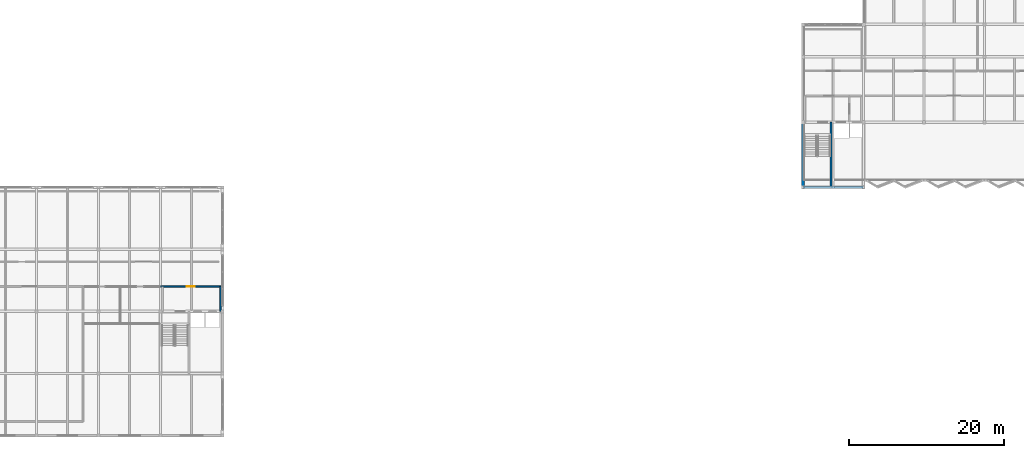
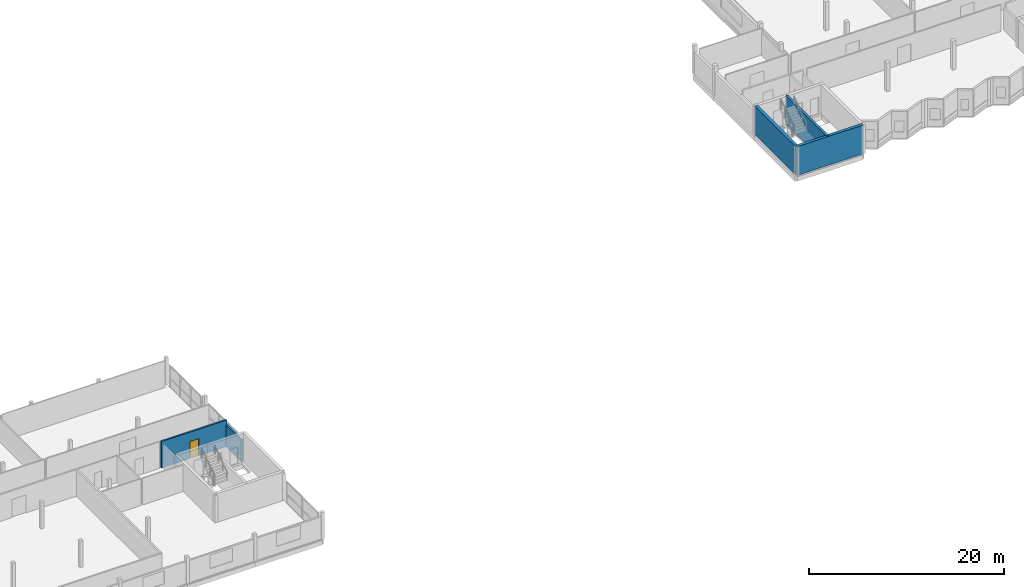
# One storey, part 13 of 22: 5 walls, 1 door, 1 opening.
"""IFC4 building model written with IfcOpenShell, lengths in metres."""

from ifc_helpers import new_model, si_unit, direction, frame, frame_2d, origin, place, context, subcontext, project, spatial, rectangle, extrude, material, layer, layer_set, type_object, element, fill, save


model = new_model("IFC4")

# Units and contexts
model_context = context("Model", 3, precision=1e-05, world=origin(), true_north=direction((0.0, 1.0)))
body_context = subcontext(model_context, "Body", "Model", "MODEL_VIEW")
ifc_project = project(units=[si_unit("LENGTHUNIT", "METRE"), si_unit("AREAUNIT", "SQUARE_METRE"), si_unit("VOLUMEUNIT", "CUBIC_METRE"), si_unit("PLANEANGLEUNIT", "RADIAN"), si_unit("MASSUNIT", "GRAM", prefix="KILO")], contexts=[model_context])

# Site, building, storey
site_placement = place(None, origin())
site = spatial("IfcSite", under=ifc_project, at=site_placement, CompositionType="ELEMENT")
building_placement = place(site_placement, origin())
building = spatial("IfcBuilding", under=site, at=building_placement, Name="Vharandega Faculty of Natural Sciences", CompositionType="ELEMENT")
storey_placement = place(building_placement, frame((0.0, 0.0, 28.800048828125)))
storey = spatial("IfcBuildingStorey", under=building, at=storey_placement, Name="L07", CompositionType="ELEMENT", Elevation=28.800048828125)

# Walls
ifc_material_1 = material(Name="Concrete C40/50", Category="concrete")
ifc_layer_1 = layer(ifc_material_1, 0.35009765625, Name="Concrete C40/50")
ifc_layer_set_1 = layer_set([ifc_layer_1], Name="Concrete C40/50")
wall_type_1 = type_object("IfcWallType", Name="Core Shear Wall 350", PredefinedType="SHEAR", material=ifc_layer_set_1)
wall_1_placement = place(storey_placement, frame((114.800048828125, 64.0, 0.0), z_axis=(0.0, 0.0, 1.0), x_axis=(1.0, 0.0, 0.0)))
element("IfcWall", 1, at=wall_1_placement, inside=storey, type_object=wall_type_1, Name="Interior Wall CW-C1-L07-S", PredefinedType="SHEAR", context=body_context, shape_type="SweptSolid", body=[
    extrude(rectangle(XDim=7.800048828125, YDim=0.35009765625, at=frame_2d((3.89990234375, 0.0))), origin(), (0.0, 0.0, 1.0), 3.599853515625),
])
wall_2_placement = place(storey_placement, frame((114.800048828125, 64.0, 0.0), z_axis=(0.0, 0.0, 1.0), x_axis=(0.0, 1.0, 0.0)))
element("IfcWall", 2, at=wall_2_placement, inside=storey, type_object=wall_type_1, Name="Interior Wall CW-C1-L07-W", PredefinedType="SHEAR", context=body_context, shape_type="SweptSolid", body=[
    extrude(rectangle(XDim=8.39990234375, YDim=0.35009765625, at=frame_2d((4.199951171875, 0.0))), origin(), (0.0, 0.0, 1.0), 3.599853515625),
])

# Wall, opening, door
ifc_material_2 = material(Name="Concrete C40/50", Category="concrete")
ifc_layer_2 = layer(ifc_material_2, 0.199951171875, Name="Concrete C40/50")
ifc_layer_set_2 = layer_set([ifc_layer_2], Name="Concrete C40/50")
wall_type_2 = type_object("IfcWallType", Name="Firefighting Lobby Wall 200", PredefinedType="PARTITIONING", material=ifc_layer_set_2)
wall_3_placement = place(storey_placement, frame((32.0, 51.199951171875, 0.0), z_axis=(0.0, 0.0, 1.0), x_axis=(1.0, 0.0, 0.0)))
wall_3 = element("IfcWall", 3, at=wall_3_placement, inside=storey, type_object=wall_type_2, Name="Interior Wall PW-LL-C3-L07-N", PredefinedType="PARTITIONING", context=body_context, shape_type="SweptSolid", body=[
    extrude(rectangle(XDim=7.75, YDim=0.199951171875, at=frame_2d((3.875, 0.0))), origin(), (0.0, 0.0, 1.0), 3.320068359375),
])
opening_placement = place(wall_3_placement, frame((3.375, 0.0, 0.0)))
opening = element("IfcOpeningElement", 4, at=opening_placement, cuts=wall_3, Name="Opening FD4", PredefinedType="OPENING", context=body_context, shape_type="SweptSolid", body=[
    extrude(rectangle(XDim=1.050048828125, YDim=2.14990234375, at=frame_2d((0.52490234375, 1.074951171875))), frame((0.0, 0.10986328125, 0.0), z_axis=(0.0, -1.0, 0.0), x_axis=(1.0, 0.0, 0.0)), (0.0, 0.0, 1.0), 0.219970703125),
])
ifc_material_3 = material(Name="Solid-core hardwood timber fire door", Category="wood")
door_type = type_object("IfcDoorType", Name="FD4-LAB-SGL-1050x2150", OperationType="NOTDEFINED", PredefinedType="DOOR", material=ifc_material_3)
door_placement = place(opening_placement, origin())
door = element("IfcDoor", 5, at=door_placement, inside=storey, type_object=door_type, Name="Lift Lobby C3 Door FD4", OperationType="SINGLE_SWING_RIGHT", OverallHeight=2.14990234375, OverallWidth=1.050048828125, PredefinedType="DOOR", context=body_context, shape_type="SweptSolid", body=[
    extrude(rectangle(XDim=1.050048828125, YDim=2.14990234375, at=frame_2d((0.52490234375, 1.074951171875))), frame((0.0, 0.02490234375, 0.0), z_axis=(0.0, -1.0, 0.0), x_axis=(1.0, 0.0, 0.0)), (0.0, 0.0, 1.0), 0.050048828125),
])
fill(opening, door)

# Walls
wall_4_placement = place(storey_placement, frame((39.75, 48.0, 0.0), z_axis=(0.0, 0.0, 1.0), x_axis=(0.0, 1.0, 0.0)))
element("IfcWall", 6, at=wall_4_placement, inside=storey, type_object=wall_type_2, Name="Interior Wall PW-LL-C3-L07-E", PredefinedType="PARTITIONING", context=body_context, shape_type="SweptSolid", body=[
    extrude(rectangle(XDim=3.199951171875, YDim=0.199951171875, at=frame_2d((1.60009765625, 0.0))), origin(), (0.0, 0.0, 1.0), 2.739990234375),
])
ifc_material_4 = material(Name="Concrete C40/50", Category="concrete")
ifc_layer_3 = layer(ifc_material_4, 0.260009765625, Name="Concrete C40/50")
ifc_layer_set_3 = layer_set([ifc_layer_3], Name="Concrete C40/50")
wall_type_3 = type_object("IfcWallType", Name="Lift Shaft Shear Wall 260", PredefinedType="SHEAR", material=ifc_layer_set_3)
wall_5_placement = place(storey_placement, frame((118.43994140625, 64.0, 0.0), z_axis=(0.0, 0.0, 1.0), x_axis=(0.0, 1.0, 0.0)))
element("IfcWall", 7, at=wall_5_placement, inside=storey, type_object=wall_type_3, Name="Interior Wall CW-C1-L07-DIV", PredefinedType="SHEAR", context=body_context, shape_type="SweptSolid", body=[
    extrude(rectangle(XDim=8.39990234375, YDim=0.260009765625, at=frame_2d((4.199951171875, 0.0))), origin(), (0.0, 0.0, 1.0), 3.599853515625),
])

save(model, "model.ifc")
